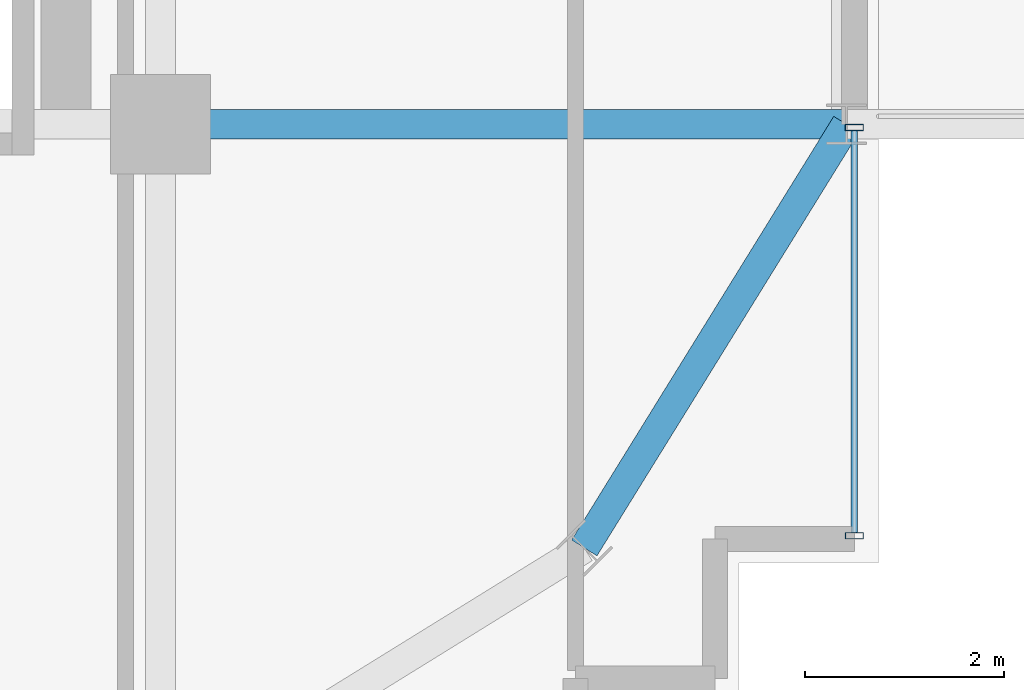
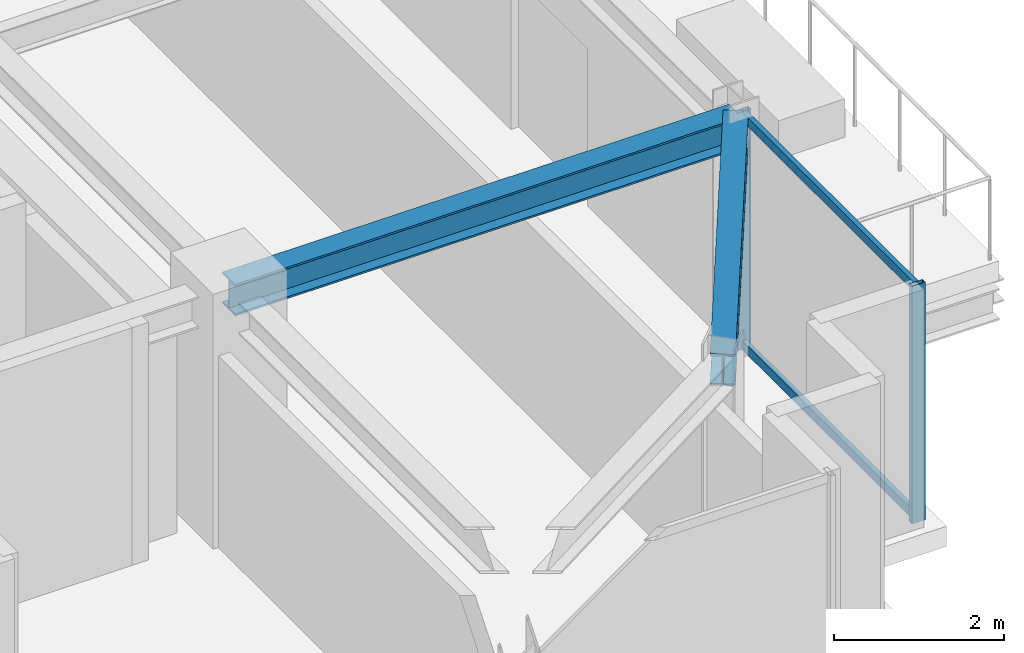
# One storey, part 13 of 36: 4 members, 2 beams, 1 element without a shape of its own.
"""IFC4 building model written with IfcOpenShell, lengths in metres."""

from ifc_helpers import new_model, si_unit, direction, frame, origin, origin_2d, place, context, subcontext, project, spatial, hollow_rectangle, i_section, extrude, source, transform, mapped, material, material_profile, profile_set, type_object, element, aggregate, save


model = new_model("IFC4")

# Units and contexts
model_context = context("Model", 3, precision=1e-05, world=origin(), true_north=direction((0.0, 1.0)))
body_context = subcontext(model_context, "Body", "Model", "MODEL_VIEW")
ifc_project = project(units=[si_unit("LENGTHUNIT", "METRE"), si_unit("AREAUNIT", "SQUARE_METRE"), si_unit("VOLUMEUNIT", "CUBIC_METRE"), si_unit("PLANEANGLEUNIT", "RADIAN"), si_unit("MASSUNIT", "GRAM", prefix="KILO")], contexts=[model_context])

# Site, building, storey
site_placement = place(None, origin())
site = spatial("IfcSite", under=ifc_project, at=site_placement, CompositionType="ELEMENT")
building_placement = place(site_placement, origin())
building = spatial("IfcBuilding", under=site, at=building_placement, Name="Nahalor Promenade Grand Hotel", CompositionType="ELEMENT")
storey_placement = place(building_placement, frame((0.0, 0.0, 234.5)))
storey = spatial("IfcBuildingStorey", under=building, at=storey_placement, Name="L60", CompositionType="ELEMENT", Elevation=234.5)

# Beams
ifc_material_1 = material(Name="Steel S355JR", Category="steel")
ifc_material_profile_1 = material_profile(ifc_material_1, i_section(OverallWidth=0.3, OverallDepth=0.45, WebThickness=0.014, FlangeThickness=0.026, at=origin_2d()), Name="HEB 450")
ifc_profile_set_1 = profile_set([ifc_material_profile_1], Name="Steel S355JR")
beam_type_1 = type_object("IfcBeamType", Name="Beam-Spandrel-HEB450", PredefinedType="SPANDREL", material=ifc_profile_set_1)
shared_shape_1 = source(origin(), body_context, "Body", "SweptSolid", [
    extrude(i_section(OverallWidth=0.3, OverallDepth=0.45, WebThickness=0.014, FlangeThickness=0.026, at=origin_2d()), origin(), (0.0, 0.0, 1.0), 4.997802734375),
])
beam_1_placement = place(storey_placement, frame((21.25, -21.25, 3.18505859375), z_axis=(0.526199891161, 0.850360908404, 0.0), x_axis=(-0.850360908404, 0.526199891161, 0.0)))
element("IfcBeam", 1, at=beam_1_placement, inside=storey, type_object=beam_type_1, Name="BM-L60-SPC-SE-2", PredefinedType="SPANDREL", context=body_context, shape_type="MappedRepresentation", body=[
    mapped(shared_shape_1, transform((0.0, 0.0, 0.0), scale=1.0)),
])
ifc_material_profile_2 = material_profile(ifc_material_1, i_section(OverallWidth=0.3, OverallDepth=0.45, WebThickness=0.014, FlangeThickness=0.026, at=origin_2d()), Name="HEB 450")
ifc_profile_set_2 = profile_set([ifc_material_profile_2], Name="Steel S355JR")
beam_type_2 = type_object("IfcBeamType", Name="Beam-Girder-HEB450", PredefinedType="BEAM", material=ifc_profile_set_2)
shared_shape_2 = source(origin(), body_context, "Body", "SweptSolid", [
    extrude(i_section(OverallWidth=0.3, OverallDepth=0.45, WebThickness=0.014, FlangeThickness=0.026, at=origin_2d()), origin(), (0.0, 0.0, 1.0), 6.8798828125),
])
beam_2_placement = place(storey_placement, frame((17.0, -17.0, 3.18505859375), z_axis=(1.0, 0.0, 0.0), x_axis=(0.0, 1.0, 0.0)))
element("IfcBeam", 2, at=beam_2_placement, inside=storey, type_object=beam_type_2, Name="BM-L60-GX-0-6", PredefinedType="BEAM", context=body_context, shape_type="MappedRepresentation", body=[
    mapped(shared_shape_2, transform((0.0, 0.0, 0.0), scale=1.0)),
])

# Curtain wall, members
ifc_material_2 = material(Name="Anodised Bronze Aluminium EN AW-6063 T6", Category="aluminium")
curtain_wall_type = type_object("IfcCurtainWallType", Name="CW2 Typical Hotel Flush Bronze Unitised Curtain Wall", PredefinedType="USERDEFINED", material=ifc_material_2)
curtain_wall_placement = place(storey_placement, origin())
curtain_wall = element("IfcCurtainWall", 3, at=curtain_wall_placement, inside=storey, type_object=curtain_wall_type, Name="L60 Curtain Wall CW-L60-E-1", ObjectType="UNITISED_CURTAIN_WALL", PredefinedType="USERDEFINED")
ifc_material_profile_3 = material_profile(ifc_material_2, hollow_rectangle(XDim=0.065, YDim=0.13, WallThickness=0.004, at=origin_2d()), Name="CWT 65x130x4")
ifc_profile_set_3 = profile_set([ifc_material_profile_3], Name="Anodised Bronze Aluminium EN AW-6063 T6")
member_type_1 = type_object("IfcMemberType", Name="CWT2 Typical Bronze Transom 65x130", PredefinedType="USERDEFINED", material=ifc_profile_set_3)
shared_shape_3 = source(origin(), body_context, "Body", "SweptSolid", [
    extrude(hollow_rectangle(XDim=0.065, YDim=0.13, WallThickness=0.004, at=origin_2d()), origin(), (0.0, 0.0, 1.0), 4.030029296875),
])
member_1_placement = place(storey_placement, frame((23.9599609375, -21.094970703125, 0.06494140625), z_axis=(0.0, 1.0, 0.0), x_axis=(-1.0, 0.0, 0.0)))
member_1 = element("IfcMember", 4, at=member_1_placement, type_object=member_type_1, Name="CW-L60-E-1 Transom 0-0", ObjectType="TRANSOM", PredefinedType="USERDEFINED", context=body_context, shape_type="MappedRepresentation", body=[
    mapped(shared_shape_3, transform((0.0, 0.0, 0.0), scale=1.0)),
])
member_2_placement = place(storey_placement, frame((23.9599609375, -21.094970703125, 3.344970703125), z_axis=(0.0, 1.0, 0.0), x_axis=(-1.0, 0.0, 0.0)))
member_2 = element("IfcMember", 5, at=member_2_placement, type_object=member_type_1, Name="CW-L60-E-1 Transom 0-1", ObjectType="TRANSOM", PredefinedType="USERDEFINED", context=body_context, shape_type="MappedRepresentation", body=[
    mapped(shared_shape_3, transform((0.0, 0.0, 0.0), scale=1.0)),
])
ifc_material_profile_4 = material_profile(ifc_material_2, hollow_rectangle(XDim=0.065, YDim=0.18, WallThickness=0.004, at=origin_2d()), Name="CWM 65x180x4")
ifc_profile_set_4 = profile_set([ifc_material_profile_4], Name="Anodised Bronze Aluminium EN AW-6063 T6")
member_type_2 = type_object("IfcMemberType", Name="CWM2 Typical Bronze Mullion 65x180", PredefinedType="MULLION", material=ifc_profile_set_4)
shared_shape_4 = source(origin(), body_context, "Body", "SweptSolid", [
    extrude(hollow_rectangle(XDim=0.065, YDim=0.18, WallThickness=0.004, at=origin_2d()), origin(), (0.0, 0.0, 1.0), 3.409912109375),
])
member_3_placement = place(storey_placement, frame((23.9599609375, -21.12744140625, 0.0), z_axis=(0.0, 0.0, 1.0), x_axis=(0.0, 1.0, 0.0)))
member_3 = element("IfcMember", 6, at=member_3_placement, type_object=member_type_2, Name="CW-L60-E-1 Mullion 0", PredefinedType="MULLION", context=body_context, shape_type="MappedRepresentation", body=[
    mapped(shared_shape_4, transform((0.0, 0.0, 0.0), scale=1.0)),
])
member_4_placement = place(storey_placement, frame((23.9599609375, -17.032470703125, 0.0), z_axis=(0.0, 0.0, 1.0), x_axis=(0.0, 1.0, 0.0)))
member_4 = element("IfcMember", 7, at=member_4_placement, type_object=member_type_2, Name="CW-L60-E-1 Mullion 1", PredefinedType="MULLION", context=body_context, shape_type="MappedRepresentation", body=[
    mapped(shared_shape_4, transform((0.0, 0.0, 0.0), scale=1.0)),
])
aggregate(curtain_wall, [member_3, member_4, member_1, member_2])

save(model, "model.ifc")
